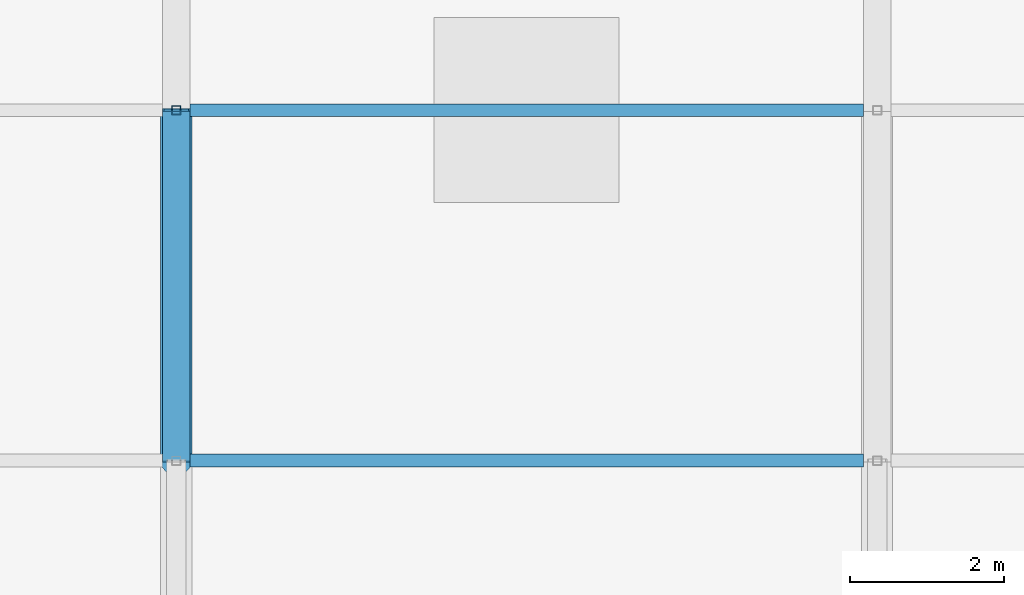
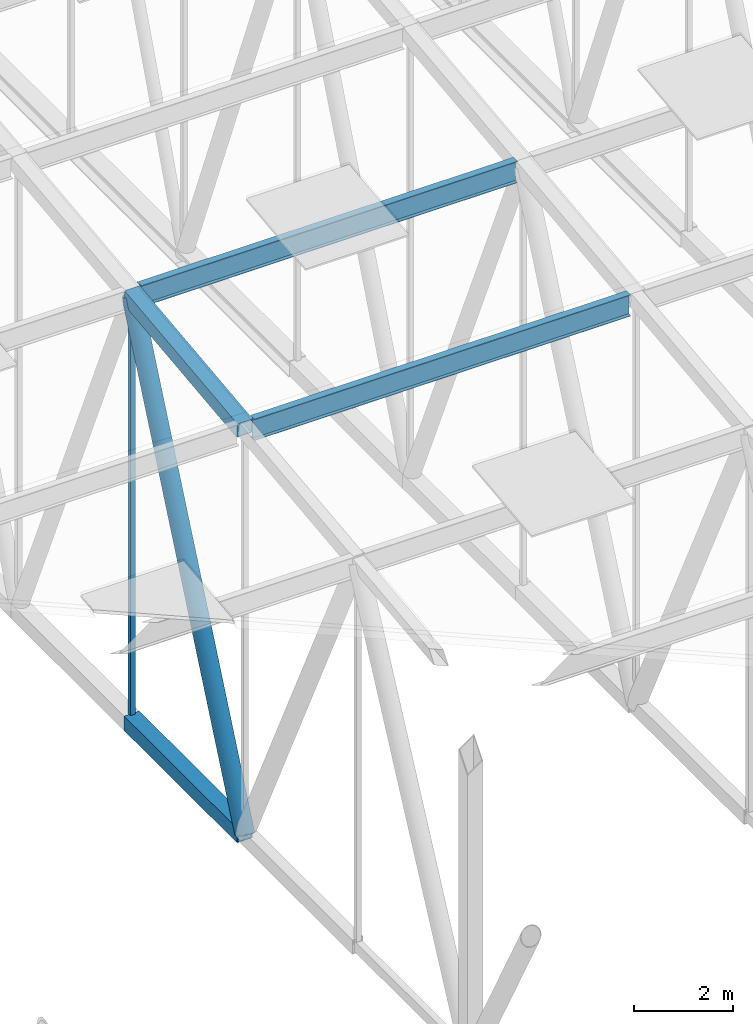
# One storey, part 105 of 500: 6 members.
"""IFC4 building model written with IfcOpenShell, lengths in metres."""

import ifcopenshell
import ifcopenshell.guid

model = None  # the IFC model being written
_history = None  # IfcOwnerHistory: only IFC2X3 demands one
_inside = {}  # id of a spatial element -> (the spatial element, [elements in it])
_under = {}  # id of a project, library or spatial element -> (it, [spatial elements below it])
_declared = {}  # id of a project -> (the project, [libraries it declares])
_typed = {}  # id of a type object -> (the type object, [elements of that type])
_made_of = {}  # id of a material, layer set ... -> (it, [elements and type objects made of it])


def new_model(schema):
    """Start an empty IFC model of exactly this schema.

    Asked for "IFC4X3", IfcOpenShell would pick the latest addendum, in which some entities
    have other attributes; the version numbers below select the first issue.
    IFC2X3 requires an IfcOwnerHistory on every rooted entity: one is made here for all.
    """
    global model, _history
    if schema == "IFC4X3":
        model = ifcopenshell.file(schema_version=(4, 3, 0, 0))
    else:
        model = ifcopenshell.file(schema=schema)
    _inside.clear()
    _under.clear()
    _declared.clear()
    _typed.clear()
    _made_of.clear()
    _history = None
    if model.schema == "IFC2X3":
        org = make("IfcOrganization", Name="unknown")
        user = make(
            "IfcPersonAndOrganization",
            ThePerson=make("IfcPerson", FamilyName="unknown"),
            TheOrganization=org,
        )
        app = make(
            "IfcApplication",
            ApplicationDeveloper=org,
            Version="unknown",
            ApplicationFullName="unknown",
            ApplicationIdentifier="unknown",
        )
        _history = make(
            "IfcOwnerHistory",
            OwningUser=user,
            OwningApplication=app,
            ChangeAction="ADDED",
            CreationDate=0,
        )
    return model


def make(cls, **values):
    """One entity of the class cls with the attributes given. An attribute that is None is left unset."""
    return model.create_entity(
        cls, **{name: value for name, value in values.items() if value is not None}
    )


def rooted(cls, **values):
    """An entity with a GlobalId (a new one), such as an element, a storey or a relation."""
    return make(cls, GlobalId=ifcopenshell.guid.new(), OwnerHistory=_history, **values)


def si_unit(unit_type, name, prefix=None):
    """IfcSIUnit, for example si_unit("LENGTHUNIT", "METRE", prefix="MILLI")."""
    return make("IfcSIUnit", UnitType=unit_type, Prefix=prefix, Name=name)


def assignment(units):
    """IfcUnitAssignment: the units of a project."""
    return None if units is None else make("IfcUnitAssignment", Units=units)


def point(xyz):
    """IfcCartesianPoint."""
    return None if xyz is None else make("IfcCartesianPoint", Coordinates=xyz)


def direction(xyz):
    """IfcDirection."""
    return None if xyz is None else make("IfcDirection", DirectionRatios=xyz)


def frame(location, z_axis=None, x_axis=None):
    """IfcAxis2Placement3D, a coordinate frame: its origin and axes. An axis left out is left unset."""
    return make(
        "IfcAxis2Placement3D",
        Location=point(location),
        Axis=direction(z_axis),
        RefDirection=direction(x_axis),
    )


def frame_2d(location, x_axis=None):
    """IfcAxis2Placement2D, a coordinate frame in the plane: its origin and x axis."""
    return make(
        "IfcAxis2Placement2D", Location=point(location), RefDirection=direction(x_axis)
    )


def origin():
    """The frame at (0, 0, 0) with its axes left unset."""
    return frame((0.0, 0.0, 0.0))


def origin_2d():
    """The frame at (0, 0) in the plane with its x axis left unset."""
    return frame_2d((0.0, 0.0))


def place(relative_to, where):
    """IfcLocalPlacement: puts the frame where relative to a parent placement (None: the world)."""
    return make(
        "IfcLocalPlacement", PlacementRelTo=relative_to, RelativePlacement=where
    )


def context(
    kind, dimensions, precision=None, world=None, true_north=None, identifier=None
):
    """IfcGeometricRepresentationContext, for example the 3D "Model" context."""
    return make(
        "IfcGeometricRepresentationContext",
        ContextIdentifier=identifier,
        ContextType=kind,
        CoordinateSpaceDimension=dimensions,
        Precision=precision,
        WorldCoordinateSystem=world,
        TrueNorth=true_north,
    )


def subcontext(parent, identifier, kind, view, scale=None):
    """IfcGeometricRepresentationSubContext, for example "Body" below "Model"."""
    return make(
        "IfcGeometricRepresentationSubContext",
        ContextIdentifier=identifier,
        ContextType=kind,
        ParentContext=parent,
        TargetScale=scale,
        TargetView=view,
    )


def project(units=None, contexts=None):
    """IfcProject with its units and contexts."""
    return rooted(
        "IfcProject",
        Name="project",
        RepresentationContexts=contexts,
        UnitsInContext=assignment(units),
    )


def spatial(cls, under=None, at=None, **own):
    """A site, building, storey or space (cls), placed at a placement, below another one or the project."""
    s = rooted(cls, ObjectPlacement=at, **own)
    if under is not None:
        _under.setdefault(under.id(), (under, []))[1].append(s)
    return s


def profile(cls, at=None, kind="AREA", **sizes):
    """A parametric profile (cls). Its sizes go by their IFC names, for example OverallWidth=200.0."""
    return make(cls, ProfileType=kind, Position=at, **sizes)


def hollow_rectangle(**sizes):
    """IfcRectangleHollowProfileDef."""
    return profile("IfcRectangleHollowProfileDef", **sizes)


def hollow_circle(**sizes):
    """IfcCircleHollowProfileDef."""
    return profile("IfcCircleHollowProfileDef", **sizes)


def i_section(**sizes):
    """IfcIShapeProfileDef."""
    return profile("IfcIShapeProfileDef", **sizes)


def extrude(swept, where, along, depth):
    """IfcExtrudedAreaSolid: the profile swept, set in the frame where, extruded along a direction by depth."""
    return make(
        "IfcExtrudedAreaSolid",
        SweptArea=swept,
        Position=where,
        ExtrudedDirection=direction(along),
        Depth=depth,
    )


def shape(context_of_items, identifier, shape_type, items):
    """IfcShapeRepresentation: the items that make up one representation, for example the "Body"."""
    return make(
        "IfcShapeRepresentation",
        ContextOfItems=context_of_items,
        RepresentationIdentifier=identifier,
        RepresentationType=shape_type,
        Items=items,
    )


def material(Name=None, Category=None):
    """IfcMaterial."""
    return make("IfcMaterial", Name=Name, Category=Category)


def material_profile(
    of_material, cross_section, Name=None, Category=None, Priority=None
):
    """IfcMaterialProfile: a cross section and its material."""
    return make(
        "IfcMaterialProfile",
        Name=Name,
        Material=of_material,
        Profile=cross_section,
        Priority=Priority,
        Category=Category,
    )


def profile_set(profiles, Name=None, composite=None):
    """IfcMaterialProfileSet."""
    return make(
        "IfcMaterialProfileSet",
        Name=Name,
        MaterialProfiles=profiles,
        CompositeProfile=composite,
    )


def made_of(thing, what):
    """Note that an element or type object is made of a material, layer set ...; save() writes the relation."""
    if what is not None:
        _made_of.setdefault(what.id(), (what, []))[1].append(thing)
    return thing


def type_object(cls, material=None, **own):
    """A type object (cls), such as IfcWallType, which elements share."""
    return made_of(rooted(cls, **own), material)


def element(
    cls,
    number,
    at=None,
    inside=None,
    cuts=None,
    type_object=None,
    material=None,
    context=None,
    identifier="Body",
    shape_type=None,
    held_by="IfcProductDefinitionShape",
    body=None,
    shapes=None,
    **own,
):
    """One element of the class cls, such as IfcWall. Its Tag is "e" and its number.

    at: its placement. inside: the storey or other place that contains it. cuts: it is an
    opening in that element (IfcRelVoidsElement). A single representation is given by context,
    identifier, shape_type and body (its items); several are given by shapes. held_by: the class
    of the entity that holds the representations. save() writes the other relations.
    """
    e = rooted(cls, Tag="e%d" % number, ObjectPlacement=at, **own)
    if body is not None:
        shapes = [shape(context, identifier, shape_type, body)]
    if shapes is not None:
        e.Representation = make(held_by, Representations=shapes)
    if inside is not None:
        _inside.setdefault(inside.id(), (inside, []))[1].append(e)
    if cuts is not None:
        rooted(
            "IfcRelVoidsElement", RelatingBuildingElement=cuts, RelatedOpeningElement=e
        )
    if type_object is not None:
        _typed.setdefault(type_object.id(), (type_object, []))[1].append(e)
    return made_of(e, material)


def aggregate(whole, parts):
    """IfcRelAggregates: a whole, such as a stair, and the parts it consists of."""
    return rooted("IfcRelAggregates", RelatingObject=whole, RelatedObjects=parts)


def save(model, path):
    """Write the relations noted so far, then the file.

    IfcRelAggregates (storeys below a building ...), IfcRelContainedInSpatialStructure (elements
    in a storey), IfcRelDefinesByType, IfcRelAssociatesMaterial and IfcRelDeclares: one each for
    every whole, place, type object, material and project.
    """
    for whole, parts in _under.values():
        aggregate(whole, parts)
    for where, things in _inside.values():
        rooted(
            "IfcRelContainedInSpatialStructure",
            RelatedElements=things,
            RelatingStructure=where,
        )
    for kind, things in _typed.values():
        rooted("IfcRelDefinesByType", RelatedObjects=things, RelatingType=kind)
    for what, things in _made_of.values():
        rooted("IfcRelAssociatesMaterial", RelatedObjects=things, RelatingMaterial=what)
    for by, libraries in _declared.values():
        rooted("IfcRelDeclares", RelatingContext=by, RelatedDefinitions=libraries)
    model.write(path)


model = new_model("IFC4")

# Units and contexts
model_context = context("Model", 3, precision=1e-05, world=origin(), true_north=direction((0.0, 1.0)))
body_context = subcontext(model_context, "Body", "Model", "MODEL_VIEW")
ifc_project = project(units=[si_unit("LENGTHUNIT", "METRE"), si_unit("AREAUNIT", "SQUARE_METRE"), si_unit("VOLUMEUNIT", "CUBIC_METRE"), si_unit("PLANEANGLEUNIT", "RADIAN"), si_unit("MASSUNIT", "GRAM", prefix="KILO")], contexts=[model_context])

# Site, building, storey
site_placement = place(None, origin())
site = spatial("IfcSite", under=ifc_project, at=site_placement, CompositionType="ELEMENT")
building_placement = place(site_placement, origin())
building = spatial("IfcBuilding", under=site, at=building_placement, Name="Shirokan Park Arena", CompositionType="ELEMENT")
storey_placement = place(building_placement, frame((0.0, 0.0, 29.1201171875)))
storey = spatial("IfcBuildingStorey", under=building, at=storey_placement, Name="L06", CompositionType="ELEMENT", Elevation=29.1201171875)

# Members
ifc_material_1 = material(Name="Steel ASTM A500 Grade C", Category="steel")
ifc_material_profile_1 = material_profile(ifc_material_1, hollow_rectangle(XDim=0.35595703125, YDim=0.35595703125, WallThickness=0.01904296875, at=origin_2d()), Name="HSS355.6X355.6X19.0")
ifc_profile_set_1 = profile_set([ifc_material_profile_1], Name="Steel ASTM A500 Grade C")
member_type_1 = type_object("IfcMemberType", Name="Bottom chord HSS355.6X355.6X19.0", PredefinedType="CHORD", material=ifc_profile_set_1)
member_1_placement = place(storey_placement, frame((63.699951171875, 18.199951171875, 4.677001953125), z_axis=(0.0, 1.0, 0.0), x_axis=(-1.0, 0.0, 0.0)))
element("IfcMember", 1, at=member_1_placement, inside=storey, type_object=member_type_1, Name="Truss T08 bottom chord 7", PredefinedType="CHORD", context=body_context, shape_type="SweptSolid", body=[
    extrude(hollow_rectangle(XDim=0.35595703125, YDim=0.35595703125, WallThickness=0.01904296875, at=origin_2d()), origin(), (0.0, 0.0, 1.0), 4.550048828125),
])
ifc_material_2 = material(Name="Steel ASTM A992", Category="steel")
ifc_material_profile_2 = material_profile(ifc_material_2, i_section(OverallWidth=0.166015625, OverallDepth=0.528076171875, WebThickness=0.009765625, FlangeThickness=0.013671875, at=origin_2d()), Name="W530X74")
ifc_profile_set_2 = profile_set([ifc_material_profile_2], Name="Steel ASTM A992")
member_type_2 = type_object("IfcMemberType", Name="Purlin W530X74", PredefinedType="PURLIN", material=ifc_profile_set_2)
for number, where, z_axis, x_axis, name in (
    (2, (63.8779296875, 18.199951171875, 14.56591796875), (1.0, 0.0, 0.0), (0.0, 1.0, 0.0), "Purlin 7 bay 8"),
    (3, (63.8779296875, 22.75, 15.0859375), (1.0, 0.0, 0.0), (0.0, 1.0, 0.0), "Purlin 8 bay 8"),
):
    element("IfcMember", number, at=place(storey_placement, frame(where, z_axis=z_axis, x_axis=x_axis)), inside=storey, type_object=member_type_2, Name=name, PredefinedType="PURLIN", context=body_context, shape_type="SweptSolid", body=[
        extrude(i_section(OverallWidth=0.166015625, OverallDepth=0.528076171875, WebThickness=0.009765625, FlangeThickness=0.013671875, at=origin_2d()), origin(), (0.0, 0.0, 1.0), 8.744140625),
    ])
ifc_material_profile_3 = material_profile(ifc_material_1, hollow_rectangle(XDim=0.35595703125, YDim=0.35595703125, WallThickness=0.01904296875, at=origin_2d()), Name="HSS355.6X355.6X19.0")
ifc_profile_set_3 = profile_set([ifc_material_profile_3], Name="Steel ASTM A500 Grade C")
member_type_3 = type_object("IfcMemberType", Name="Top chord HSS355.6X355.6X19.0", PredefinedType="CHORD", material=ifc_profile_set_3)
member_2_placement = place(storey_placement, frame((63.699951171875, 18.199951171875, 14.621337890625), z_axis=(0.0, 0.993532328996, 0.113549598152), x_axis=(-1.0, 0.0, 0.0)))
element("IfcMember", 4, at=member_2_placement, inside=storey, type_object=member_type_3, Name="Truss T08 top chord 7", PredefinedType="CHORD", context=body_context, shape_type="SweptSolid", body=[
    extrude(hollow_rectangle(XDim=0.35595703125, YDim=0.35595703125, WallThickness=0.01904296875, at=origin_2d()), origin(), (0.0, 0.0, 1.0), 4.57958984375),
])
ifc_material_profile_4 = material_profile(ifc_material_1, hollow_circle(Radius=0.202880859375, WallThickness=0.015869140625, at=origin_2d()), Name="HSS406.4X15.9")
ifc_profile_set_4 = profile_set([ifc_material_profile_4], Name="Steel ASTM A500 Grade C")
member_type_4 = type_object("IfcMemberType", Name="Truss diagonal HSS406.4X15.9", PredefinedType="BRACE", material=ifc_profile_set_4)
member_3_placement = place(storey_placement, frame((63.699951171875, 18.199951171875, 4.677001953125), z_axis=(0.0, 0.398750364192, 0.917059511186), x_axis=(-1.0, 0.0, 0.0)))
element("IfcMember", 5, at=member_3_placement, inside=storey, type_object=member_type_4, Name="Truss T08 diagonal 7", PredefinedType="BRACE", context=body_context, shape_type="SweptSolid", body=[
    extrude(hollow_circle(Radius=0.202880859375, WallThickness=0.015869140625, at=origin_2d()), origin(), (0.0, 0.0, 1.0), 11.410888671875),
])
ifc_material_profile_5 = material_profile(ifc_material_1, hollow_rectangle(XDim=0.114013671875, YDim=0.114013671875, WallThickness=0.00634765625, at=origin_2d()), Name="HSS114.3X114.3X6.4")
ifc_profile_set_5 = profile_set([ifc_material_profile_5], Name="Steel ASTM A500 Grade C")
member_type_5 = type_object("IfcMemberType", Name="Truss post HSS114.3X114.3X6.4", PredefinedType="POST", material=ifc_profile_set_5)
member_4_placement = place(storey_placement, frame((63.699951171875, 22.75, 4.677001953125), z_axis=(0.0, 0.0, 1.0), x_axis=(1.0, 0.0, 0.0)))
element("IfcMember", 6, at=member_4_placement, inside=storey, type_object=member_type_5, Name="Truss T08 post 8", PredefinedType="POST", context=body_context, shape_type="SweptSolid", body=[
    extrude(hollow_rectangle(XDim=0.114013671875, YDim=0.114013671875, WallThickness=0.00634765625, at=origin_2d()), origin(), (0.0, 0.0, 1.0), 10.46435546875),
])

save(model, "model.ifc")
